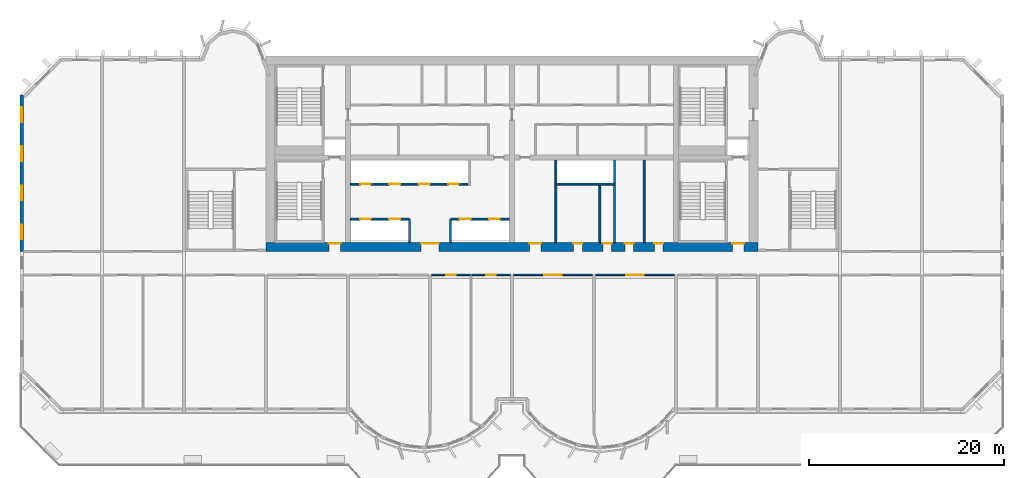
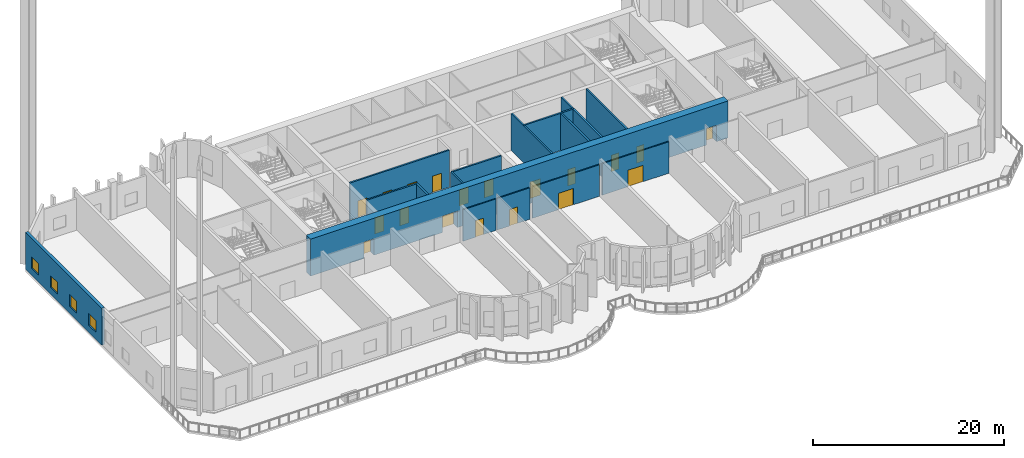
# One storey, part 4 of 13: 20 doors, 16 walls, 4 windows, 24 openings.
"""IFC4 building model written with IfcOpenShell, lengths in metres."""

from ifc_helpers import new_model, si_unit, direction, frame, frame_2d, origin, place, context, subcontext, project, spatial, rectangle, extrude, source, transform, mapped, material, layer, layer_set, type_object, element, fill, save


model = new_model("IFC4")

# Units and contexts
model_context = context("Model", 3, precision=1e-05, world=origin(), true_north=direction((0.0, 1.0)))
body_context = subcontext(model_context, "Body", "Model", "MODEL_VIEW")
ifc_project = project(units=[si_unit("LENGTHUNIT", "METRE"), si_unit("AREAUNIT", "SQUARE_METRE"), si_unit("VOLUMEUNIT", "CUBIC_METRE"), si_unit("PLANEANGLEUNIT", "RADIAN"), si_unit("MASSUNIT", "GRAM", prefix="KILO")], contexts=[model_context])

# Site, building, storey
site_placement = place(None, origin())
site = spatial("IfcSite", under=ifc_project, at=site_placement, CompositionType="ELEMENT")
building_placement = place(site_placement, origin())
building = spatial("IfcBuilding", under=site, at=building_placement, Name="Vanashikhar Sky Hotel", CompositionType="ELEMENT")
storey_placement = place(building_placement, frame((0.0, 0.0, 86.39990234375)))
storey = spatial("IfcBuildingStorey", under=building, at=storey_placement, Name="L20", CompositionType="ELEMENT", Elevation=86.39990234375)

# Wall, openings, doors
ifc_material_1 = material(Name="Concrete M70", Category="concrete")
ifc_layer_1 = layer(ifc_material_1, 0.89990234375)
ifc_layer_set_1 = layer_set([ifc_layer_1], Name="RC core shell wall 900 Concrete M70")
wall_type_1 = type_object("IfcWallType", Name="RC core shell wall 900 Concrete M70", PredefinedType="SHEAR", material=ifc_layer_set_1)
shared_shape_1 = source(origin(), body_context, "Body", "SweptSolid", [
    extrude(rectangle(XDim=50.400146484375, YDim=0.89990234375, at=frame_2d((25.2001953125, 0.0))), origin(), (0.0, 0.0, 1.0), 4.72021484375),
])
wall_1_placement = place(storey_placement, frame((25.199951171875, 22.449951171875, 0.0), z_axis=(0.0, 0.0, 1.0), x_axis=(1.0, 0.0, 0.0)))
wall_1 = element("IfcWall", 1, at=wall_1_placement, inside=storey, type_object=wall_type_1, Name="KW-L20-KS", PredefinedType="SHEAR", context=body_context, shape_type="MappedRepresentation", body=[
    mapped(shared_shape_1, transform((0.0, 0.0, 0.0), scale=1.0)),
])
shared_shape_2 = source(origin(), body_context, "Body", "SweptSolid", [
    extrude(rectangle(XDim=1.800048828125, YDim=2.10009765625, at=frame_2d((0.89990234375, 1.050048828125))), frame((0.0, 0.4599609375, 0.0), z_axis=(0.0, -1.0, 0.0), x_axis=(1.0, 0.0, 0.0)), (0.0, 0.0, 1.0), 0.919921875),
])
opening_1_placement = place(wall_1_placement, frame((15.89990234375, 0.0, 0.0)))
opening_1 = element("IfcOpeningElement", 2, at=opening_1_placement, cuts=wall_1, Name="Opening DC-3-A", PredefinedType="OPENING", context=body_context, shape_type="MappedRepresentation", body=[
    mapped(shared_shape_2, transform((0.0, 0.0, 0.0), scale=1.0)),
])
shared_shape_3 = source(origin(), body_context, "Body", "SweptSolid", [
    extrude(rectangle(XDim=1.199951171875, YDim=2.10009765625, at=frame_2d((0.60009765625, 1.050048828125))), frame((0.0, 0.4599609375, 0.0), z_axis=(0.0, -1.0, 0.0), x_axis=(1.0, 0.0, 0.0)), (0.0, 0.0, 1.0), 0.919921875),
])
opening_2_placement = place(wall_1_placement, frame((26.97509765625, 0.0, 0.0)))
opening_2 = element("IfcOpeningElement", 3, at=opening_2_placement, cuts=wall_1, Name="Opening DC-4-B", PredefinedType="OPENING", context=body_context, shape_type="MappedRepresentation", body=[
    mapped(shared_shape_3, transform((0.0, 0.0, 0.0), scale=1.0)),
])
shared_shape_4 = source(origin(), body_context, "Body", "SweptSolid", [
    extrude(rectangle(XDim=0.89990234375, YDim=2.10009765625, at=frame_2d((0.449951171875, 1.050048828125))), frame((0.0, 0.4599609375, 0.0), z_axis=(0.0, -1.0, 0.0), x_axis=(1.0, 0.0, 0.0)), (0.0, 0.0, 1.0), 0.919921875),
])
opening_3_placement = place(wall_1_placement, frame((34.5, 0.0, 0.0)))
opening_3 = element("IfcOpeningElement", 4, at=opening_3_placement, cuts=wall_1, Name="Opening DC-4-A", PredefinedType="OPENING", context=body_context, shape_type="MappedRepresentation", body=[
    mapped(shared_shape_4, transform((0.0, 0.0, 0.0), scale=1.0)),
])
opening_4_placement = place(wall_1_placement, frame((31.5, 0.0, 0.0)))
opening_4 = element("IfcOpeningElement", 5, at=opening_4_placement, cuts=wall_1, Name="Opening DC-4-A", PredefinedType="OPENING", context=body_context, shape_type="MappedRepresentation", body=[
    mapped(shared_shape_4, transform((0.0, 0.0, 0.0), scale=1.0)),
])
opening_5_placement = place(wall_1_placement, frame((39.7880859375, 0.0, 0.0)))
opening_5 = element("IfcOpeningElement", 6, at=opening_5_placement, cuts=wall_1, Name="Opening DC-4-A", PredefinedType="OPENING", context=body_context, shape_type="MappedRepresentation", body=[
    mapped(shared_shape_4, transform((0.0, 0.0, 0.0), scale=1.0)),
])
opening_6_placement = place(wall_1_placement, frame((36.761962890625, 0.0, 0.0)))
opening_6 = element("IfcOpeningElement", 7, at=opening_6_placement, cuts=wall_1, Name="Opening DC-4-A", PredefinedType="OPENING", context=body_context, shape_type="MappedRepresentation", body=[
    mapped(shared_shape_4, transform((0.0, 0.0, 0.0), scale=1.0)),
])
opening_7_placement = place(wall_1_placement, frame((6.449951171875, 0.0, 0.0)))
opening_7 = element("IfcOpeningElement", 8, at=opening_7_placement, cuts=wall_1, Name="Opening DC-2", PredefinedType="OPENING", context=body_context, shape_type="MappedRepresentation", body=[
    mapped(shared_shape_3, transform((0.0, 0.0, 0.0), scale=1.0)),
])
opening_8_placement = place(wall_1_placement, frame((47.77490234375, 0.0, 0.0)))
opening_8 = element("IfcOpeningElement", 9, at=opening_8_placement, cuts=wall_1, Name="Opening DC-2", PredefinedType="OPENING", context=body_context, shape_type="MappedRepresentation", body=[
    mapped(shared_shape_3, transform((0.0, 0.0, 0.0), scale=1.0)),
])
ifc_material_2 = material(Name="Glass", Category="glass")
door_type_1 = type_object("IfcDoorType", Name="Lift lobby entrance door 1800 FD30S", OperationType="NOTDEFINED", PredefinedType="DOOR", material=ifc_material_2)
shared_shape_5 = source(origin(), body_context, "Body", "SweptSolid", [
    extrude(rectangle(XDim=1.800048828125, YDim=2.10009765625, at=frame_2d((0.89990234375, 1.050048828125))), frame((0.0, 0.375, 0.0), z_axis=(0.0, -1.0, 0.0), x_axis=(1.0, 0.0, 0.0)), (0.0, 0.0, 1.0), 0.050048828125),
])
door_1_placement = place(opening_1_placement, origin())
door_1 = element("IfcDoor", 10, at=door_1_placement, inside=storey, type_object=door_type_1, Name="Lift lobby entrance door 1800 FD30S", OperationType="DOUBLE_DOOR_SINGLE_SWING", OverallHeight=2.10009765625, OverallWidth=1.800048828125, PredefinedType="DOOR", context=body_context, shape_type="MappedRepresentation", body=[
    mapped(shared_shape_5, transform((0.0, 0.0, 0.0), scale=1.0)),
])
fill(opening_1, door_1)
ifc_material_3 = material(Name="Steel", Category="steel")
door_type_2 = type_object("IfcDoorType", Name="Service door 1200 FD60", OperationType="NOTDEFINED", PredefinedType="DOOR", material=ifc_material_3)
shared_shape_6 = source(origin(), body_context, "Body", "SweptSolid", [
    extrude(rectangle(XDim=1.199951171875, YDim=2.10009765625, at=frame_2d((0.60009765625, 1.050048828125))), frame((0.0, 0.375, 0.0), z_axis=(0.0, -1.0, 0.0), x_axis=(1.0, 0.0, 0.0)), (0.0, 0.0, 1.0), 0.050048828125),
])
door_2_placement = place(opening_2_placement, origin())
door_2 = element("IfcDoor", 11, at=door_2_placement, inside=storey, type_object=door_type_2, Name="Service door 1200 FD60", OperationType="SINGLE_SWING_LEFT", OverallHeight=2.10009765625, OverallWidth=1.199951171875, PredefinedType="DOOR", context=body_context, shape_type="MappedRepresentation", body=[
    mapped(shared_shape_6, transform((0.0, 0.0, 0.0), scale=1.0)),
])
fill(opening_2, door_2)
door_type_3 = type_object("IfcDoorType", Name="Firefighting lobby door 1200 FD120", OperationType="NOTDEFINED", PredefinedType="DOOR", material=ifc_material_3)
door_3_placement = place(opening_7_placement, origin())
door_3 = element("IfcDoor", 12, at=door_3_placement, inside=storey, type_object=door_type_3, Name="Firefighting lobby door 1200 FD120", OperationType="SINGLE_SWING_LEFT", OverallHeight=2.10009765625, OverallWidth=1.199951171875, PredefinedType="DOOR", context=body_context, shape_type="MappedRepresentation", body=[
    mapped(shared_shape_6, transform((0.0, 0.0, 0.0), scale=1.0)),
])
fill(opening_7, door_3)
door_4_placement = place(opening_8_placement, origin())
door_4 = element("IfcDoor", 13, at=door_4_placement, inside=storey, type_object=door_type_3, Name="Firefighting lobby door 1200 FD120", OperationType="SINGLE_SWING_LEFT", OverallHeight=2.10009765625, OverallWidth=1.199951171875, PredefinedType="DOOR", context=body_context, shape_type="MappedRepresentation", body=[
    mapped(shared_shape_6, transform((0.0, 0.0, 0.0), scale=1.0)),
])
fill(opening_8, door_4)
door_type_4 = type_object("IfcDoorType", Name="Service door 900 FD60", OperationType="NOTDEFINED", PredefinedType="DOOR", material=ifc_material_3)
shared_shape_7 = source(origin(), body_context, "Body", "SweptSolid", [
    extrude(rectangle(XDim=0.89990234375, YDim=2.10009765625, at=frame_2d((0.449951171875, 1.050048828125))), frame((0.0, 0.375, 0.0), z_axis=(0.0, -1.0, 0.0), x_axis=(1.0, 0.0, 0.0)), (0.0, 0.0, 1.0), 0.050048828125),
])
door_5_placement = place(opening_3_placement, origin())
door_5 = element("IfcDoor", 14, at=door_5_placement, inside=storey, type_object=door_type_4, Name="Service door 900 FD60", OperationType="SINGLE_SWING_LEFT", OverallHeight=2.10009765625, OverallWidth=0.89990234375, PredefinedType="DOOR", context=body_context, shape_type="MappedRepresentation", body=[
    mapped(shared_shape_7, transform((0.0, 0.0, 0.0), scale=1.0)),
])
fill(opening_3, door_5)
door_6_placement = place(opening_4_placement, origin())
door_6 = element("IfcDoor", 15, at=door_6_placement, inside=storey, type_object=door_type_4, Name="Service door 900 FD60", OperationType="SINGLE_SWING_RIGHT", OverallHeight=2.10009765625, OverallWidth=0.89990234375, PredefinedType="DOOR", context=body_context, shape_type="MappedRepresentation", body=[
    mapped(shared_shape_7, transform((0.0, 0.0, 0.0), scale=1.0)),
])
fill(opening_4, door_6)
door_7_placement = place(opening_5_placement, origin())
door_7 = element("IfcDoor", 16, at=door_7_placement, inside=storey, type_object=door_type_4, Name="Service door 900 FD60", OperationType="SINGLE_SWING_LEFT", OverallHeight=2.10009765625, OverallWidth=0.89990234375, PredefinedType="DOOR", context=body_context, shape_type="MappedRepresentation", body=[
    mapped(shared_shape_7, transform((0.0, 0.0, 0.0), scale=1.0)),
])
fill(opening_5, door_7)
door_8_placement = place(opening_6_placement, origin())
door_8 = element("IfcDoor", 17, at=door_8_placement, inside=storey, type_object=door_type_4, Name="Service door 900 FD60", OperationType="SINGLE_SWING_RIGHT", OverallHeight=2.10009765625, OverallWidth=0.89990234375, PredefinedType="DOOR", context=body_context, shape_type="MappedRepresentation", body=[
    mapped(shared_shape_7, transform((0.0, 0.0, 0.0), scale=1.0)),
])
fill(opening_6, door_8)

# Wall, openings, windows
ifc_layer_2 = layer(ifc_material_1, 0.35009765625)
ifc_layer_set_2 = layer_set([ifc_layer_2], Name="RC shear wall 350 Concrete M70")
wall_type_2 = type_object("IfcWallType", Name="RC shear wall 350 Concrete M70", PredefinedType="SHEAR", material=ifc_layer_set_2)
shared_shape_8 = source(origin(), body_context, "Body", "SweptSolid", [
    extrude(rectangle(XDim=16.0, YDim=0.35009765625, at=frame_2d((8.0, 0.0))), origin(), (0.0, 0.0, 1.0), 4.72021484375),
])
wall_2_placement = place(storey_placement, frame((0.175048828125, 22.0, 0.0), z_axis=(0.0, 0.0, 1.0), x_axis=(0.0, 1.0, 0.0)))
wall_2 = element("IfcWall", 18, at=wall_2_placement, inside=storey, type_object=wall_type_2, Name="CW-L20-XW01-2", PredefinedType="SHEAR", context=body_context, shape_type="MappedRepresentation", body=[
    mapped(shared_shape_8, transform((0.0, 0.0, 0.0), scale=1.0)),
])
shared_shape_9 = source(origin(), body_context, "Body", "SweptSolid", [
    extrude(rectangle(XDim=1.5, YDim=1.5, at=frame_2d((0.75, 0.75))), frame((0.0, 0.18505859375, 0.0), z_axis=(0.0, -1.0, 0.0), x_axis=(1.0, 0.0, 0.0)), (0.0, 0.0, 1.0), 0.3701171875),
])
opening_9_placement = place(wall_2_placement, frame((1.25, 0.0, 0.89990234375)))
opening_9 = element("IfcOpeningElement", 19, at=opening_9_placement, cuts=wall_2, Name="Opening WN-1", PredefinedType="OPENING", context=body_context, shape_type="MappedRepresentation", body=[
    mapped(shared_shape_9, transform((0.0, 0.0, 0.0), scale=1.0)),
])
opening_10_placement = place(wall_2_placement, frame((5.25, 0.0, 0.89990234375)))
opening_10 = element("IfcOpeningElement", 20, at=opening_10_placement, cuts=wall_2, Name="Opening WN-1", PredefinedType="OPENING", context=body_context, shape_type="MappedRepresentation", body=[
    mapped(shared_shape_9, transform((0.0, 0.0, 0.0), scale=1.0)),
])
opening_11_placement = place(wall_2_placement, frame((9.25, 0.0, 0.89990234375)))
opening_11 = element("IfcOpeningElement", 21, at=opening_11_placement, cuts=wall_2, Name="Opening WN-1", PredefinedType="OPENING", context=body_context, shape_type="MappedRepresentation", body=[
    mapped(shared_shape_9, transform((0.0, 0.0, 0.0), scale=1.0)),
])
opening_12_placement = place(wall_2_placement, frame((13.25, 0.0, 0.89990234375)))
opening_12 = element("IfcOpeningElement", 22, at=opening_12_placement, cuts=wall_2, Name="Opening WN-1", PredefinedType="OPENING", context=body_context, shape_type="MappedRepresentation", body=[
    mapped(shared_shape_9, transform((0.0, 0.0, 0.0), scale=1.0)),
])
window_type = type_object("IfcWindowType", Name="Window 1500 x 1500", PartitioningType="SINGLE_PANEL", PredefinedType="WINDOW", material=ifc_material_2)
shared_shape_10 = source(origin(), body_context, "Body", "SweptSolid", [
    extrude(rectangle(XDim=1.5, YDim=1.5, at=frame_2d((0.75, 0.75))), frame((0.0, 0.030029296875, 0.0), z_axis=(0.0, -1.0, 0.0), x_axis=(1.0, 0.0, 0.0)), (0.0, 0.0, 1.0), 0.06005859375),
])
window_1_placement = place(opening_9_placement, origin())
window_1 = element("IfcWindow", 23, at=window_1_placement, inside=storey, type_object=window_type, Name="Window WN-1", OverallHeight=1.5, OverallWidth=1.5, PartitioningType="SINGLE_PANEL", PredefinedType="WINDOW", context=body_context, shape_type="MappedRepresentation", body=[
    mapped(shared_shape_10, transform((0.0, 0.0, 0.0), scale=1.0)),
])
fill(opening_9, window_1)
window_2_placement = place(opening_10_placement, origin())
window_2 = element("IfcWindow", 24, at=window_2_placement, inside=storey, type_object=window_type, Name="Window WN-1", OverallHeight=1.5, OverallWidth=1.5, PartitioningType="SINGLE_PANEL", PredefinedType="WINDOW", context=body_context, shape_type="MappedRepresentation", body=[
    mapped(shared_shape_10, transform((0.0, 0.0, 0.0), scale=1.0)),
])
fill(opening_10, window_2)
window_3_placement = place(opening_11_placement, origin())
window_3 = element("IfcWindow", 25, at=window_3_placement, inside=storey, type_object=window_type, Name="Window WN-1", OverallHeight=1.5, OverallWidth=1.5, PartitioningType="SINGLE_PANEL", PredefinedType="WINDOW", context=body_context, shape_type="MappedRepresentation", body=[
    mapped(shared_shape_10, transform((0.0, 0.0, 0.0), scale=1.0)),
])
fill(opening_11, window_3)
window_4_placement = place(opening_12_placement, origin())
window_4 = element("IfcWindow", 26, at=window_4_placement, inside=storey, type_object=window_type, Name="Window WN-1", OverallHeight=1.5, OverallWidth=1.5, PartitioningType="SINGLE_PANEL", PredefinedType="WINDOW", context=body_context, shape_type="MappedRepresentation", body=[
    mapped(shared_shape_10, transform((0.0, 0.0, 0.0), scale=1.0)),
])
fill(opening_12, window_4)

# Wall, openings, doors
ifc_material_4 = material(Name="Concrete M40", Category="concrete")
ifc_layer_3 = layer(ifc_material_4, 0.199951171875)
ifc_layer_set_3 = layer_set([ifc_layer_3], Name="Shaft wall 200")
wall_type_3 = type_object("IfcWallType", Name="Shaft wall 200", PredefinedType="SOLIDWALL", material=ifc_layer_set_3)
shared_shape_11 = source(origin(), body_context, "Body", "SweptSolid", [
    extrude(rectangle(XDim=6.0498046875, YDim=0.199951171875, at=frame_2d((3.02490234375, 0.0))), origin(), (0.0, 0.0, 1.0), 4.72021484375),
])
wall_3_placement = place(storey_placement, frame((33.85009765625, 25.300048828125, 0.0), z_axis=(0.0, 0.0, 1.0), x_axis=(1.0, 0.0, 0.0)))
wall_3 = element("IfcWall", 27, at=wall_3_placement, inside=storey, type_object=wall_type_3, Name="Shaft wall 200", PredefinedType="SOLIDWALL", context=body_context, shape_type="MappedRepresentation", body=[
    mapped(shared_shape_11, transform((0.0, 0.0, 0.0), scale=1.0)),
])
shared_shape_12 = source(origin(), body_context, "Body", "SweptSolid", [
    extrude(rectangle(XDim=1.10009765625, YDim=2.10009765625, at=frame_2d((0.550048828125, 1.050048828125))), frame((0.0, 0.10986328125, 0.0), z_axis=(0.0, -1.0, 0.0), x_axis=(1.0, 0.0, 0.0)), (0.0, 0.0, 1.0), 0.219970703125),
])
opening_13_placement = place(wall_3_placement, frame((1.0, 0.0, 0.0)))
opening_13 = element("IfcOpeningElement", 28, at=opening_13_placement, cuts=wall_3, Name="Opening LD", PredefinedType="OPENING", context=body_context, shape_type="MappedRepresentation", body=[
    mapped(shared_shape_12, transform((0.0, 0.0, 0.0), scale=1.0)),
])
opening_14_placement = place(wall_3_placement, frame((4.0, 0.0, 0.0)))
opening_14 = element("IfcOpeningElement", 29, at=opening_14_placement, cuts=wall_3, Name="Opening LD", PredefinedType="OPENING", context=body_context, shape_type="MappedRepresentation", body=[
    mapped(shared_shape_12, transform((0.0, 0.0, 0.0), scale=1.0)),
])
ifc_material_5 = material(Name="Stainless steel", Category="steel")
door_type_5 = type_object("IfcDoorType", Name="Lift landing door 1100", OperationType="NOTDEFINED", PredefinedType="DOOR", material=ifc_material_5)
shared_shape_13 = source(origin(), body_context, "Body", "SweptSolid", [
    extrude(rectangle(XDim=1.10009765625, YDim=2.10009765625, at=frame_2d((0.550048828125, 1.050048828125))), frame((0.0, 0.02490234375, 0.0), z_axis=(0.0, -1.0, 0.0), x_axis=(1.0, 0.0, 0.0)), (0.0, 0.0, 1.0), 0.050048828125),
])
door_9_placement = place(opening_13_placement, origin())
door_9 = element("IfcDoor", 30, at=door_9_placement, inside=storey, type_object=door_type_5, Name="Lift landing door 1100", OperationType="SLIDING_TO_LEFT", OverallHeight=2.10009765625, OverallWidth=1.10009765625, PredefinedType="DOOR", context=body_context, shape_type="MappedRepresentation", body=[
    mapped(shared_shape_13, transform((0.0, 0.0, 0.0), scale=1.0)),
])
fill(opening_13, door_9)
door_10_placement = place(opening_14_placement, origin())
door_10 = element("IfcDoor", 31, at=door_10_placement, inside=storey, type_object=door_type_5, Name="Lift landing door 1100", OperationType="SLIDING_TO_RIGHT", OverallHeight=2.10009765625, OverallWidth=1.10009765625, PredefinedType="DOOR", context=body_context, shape_type="MappedRepresentation", body=[
    mapped(shared_shape_13, transform((0.0, 0.0, 0.0), scale=1.0)),
])
fill(opening_14, door_10)

shared_shape_14 = source(origin(), body_context, "Body", "SweptSolid", [
    extrude(rectangle(XDim=6.0, YDim=0.199951171875, at=frame_2d((3.0, 0.0))), origin(), (0.0, 0.0, 1.0), 4.72021484375),
])
wall_4_placement = place(storey_placement, frame((44.10009765625, 25.300048828125, 0.0), z_axis=(0.0, 0.0, 1.0), x_axis=(1.0, 0.0, 0.0)))
wall_4 = element("IfcWall", 32, at=wall_4_placement, inside=storey, type_object=wall_type_3, Name="Shaft wall 200", PredefinedType="SOLIDWALL", context=body_context, shape_type="MappedRepresentation", body=[
    mapped(shared_shape_14, transform((0.0, 0.0, 0.0), scale=1.0)),
])
opening_15_placement = place(wall_4_placement, frame((0.949951171875, 0.0, 0.0)))
opening_15 = element("IfcOpeningElement", 33, at=opening_15_placement, cuts=wall_4, Name="Opening LD", PredefinedType="OPENING", context=body_context, shape_type="MappedRepresentation", body=[
    mapped(shared_shape_12, transform((0.0, 0.0, 0.0), scale=1.0)),
])
opening_16_placement = place(wall_4_placement, frame((3.949951171875, 0.0, 0.0)))
opening_16 = element("IfcOpeningElement", 34, at=opening_16_placement, cuts=wall_4, Name="Opening LD", PredefinedType="OPENING", context=body_context, shape_type="MappedRepresentation", body=[
    mapped(shared_shape_12, transform((0.0, 0.0, 0.0), scale=1.0)),
])
door_11_placement = place(opening_15_placement, origin())
door_11 = element("IfcDoor", 35, at=door_11_placement, inside=storey, type_object=door_type_5, Name="Lift landing door 1100", OperationType="SLIDING_TO_LEFT", OverallHeight=2.10009765625, OverallWidth=1.10009765625, PredefinedType="DOOR", context=body_context, shape_type="MappedRepresentation", body=[
    mapped(shared_shape_13, transform((0.0, 0.0, 0.0), scale=1.0)),
])
fill(opening_15, door_11)
door_12_placement = place(opening_16_placement, origin())
door_12 = element("IfcDoor", 36, at=door_12_placement, inside=storey, type_object=door_type_5, Name="Lift landing door 1100", OperationType="SLIDING_TO_RIGHT", OverallHeight=2.10009765625, OverallWidth=1.10009765625, PredefinedType="DOOR", context=body_context, shape_type="MappedRepresentation", body=[
    mapped(shared_shape_13, transform((0.0, 0.0, 0.0), scale=1.0)),
])
fill(opening_16, door_12)

# Walls
wall_5_placement = place(storey_placement, frame((60.89990234375, 28.89990234375, 0.0), z_axis=(0.0, 0.0, 1.0), x_axis=(-1.0, 0.0, 0.0)))
element("IfcWall", 37, at=wall_5_placement, inside=storey, type_object=wall_type_3, Name="Shaft wall 200", PredefinedType="SOLIDWALL", context=body_context, shape_type="MappedRepresentation", body=[
    mapped(shared_shape_14, transform((0.0, 0.0, 0.0), scale=1.0)),
])
ifc_material_6 = material(Name="Gypsum board partition")
ifc_layer_4 = layer(ifc_material_6, 0.14990234375)
ifc_layer_set_4 = layer_set([ifc_layer_4], Name="Service partition 150")
wall_type_4 = type_object("IfcWallType", Name="Service partition 150", PredefinedType="PARTITIONING", material=ifc_layer_set_4)
wall_6_placement = place(storey_placement, frame((59.39990234375, 22.89990234375, 0.0), z_axis=(0.0, 0.0, 1.0), x_axis=(0.0, 1.0, 0.0)))
element("IfcWall", 38, at=wall_6_placement, inside=storey, type_object=wall_type_4, Name="Service partition 150", PredefinedType="PARTITIONING", context=body_context, shape_type="MappedRepresentation", body=[
    mapped(shared_shape_14, transform((0.0, 0.0, 0.0), scale=1.0)),
])

# Wall, openings, doors
shared_shape_15 = source(origin(), body_context, "Body", "SweptSolid", [
    extrude(rectangle(XDim=12.0498046875, YDim=0.199951171875, at=frame_2d((6.02490234375, 0.0))), origin(), (0.0, 0.0, 1.0), 4.72021484375),
])
wall_7_placement = place(storey_placement, frame((33.85009765625, 28.89990234375, 0.0), z_axis=(0.0, 0.0, 1.0), x_axis=(1.0, 0.0, 0.0)))
wall_7 = element("IfcWall", 39, at=wall_7_placement, inside=storey, type_object=wall_type_3, Name="Shaft wall 200", PredefinedType="SOLIDWALL", context=body_context, shape_type="MappedRepresentation", body=[
    mapped(shared_shape_15, transform((0.0, 0.0, 0.0), scale=1.0)),
])
opening_17_placement = place(wall_7_placement, frame((1.0, 0.0, 0.0)))
opening_17 = element("IfcOpeningElement", 40, at=opening_17_placement, cuts=wall_7, Name="Opening LD", PredefinedType="OPENING", context=body_context, shape_type="MappedRepresentation", body=[
    mapped(shared_shape_12, transform((0.0, 0.0, 0.0), scale=1.0)),
])
opening_18_placement = place(wall_7_placement, frame((4.0, 0.0, 0.0)))
opening_18 = element("IfcOpeningElement", 41, at=opening_18_placement, cuts=wall_7, Name="Opening LD", PredefinedType="OPENING", context=body_context, shape_type="MappedRepresentation", body=[
    mapped(shared_shape_12, transform((0.0, 0.0, 0.0), scale=1.0)),
])
opening_19_placement = place(wall_7_placement, frame((7.0, 0.0, 0.0)))
opening_19 = element("IfcOpeningElement", 42, at=opening_19_placement, cuts=wall_7, Name="Opening LD", PredefinedType="OPENING", context=body_context, shape_type="MappedRepresentation", body=[
    mapped(shared_shape_12, transform((0.0, 0.0, 0.0), scale=1.0)),
])
opening_20_placement = place(wall_7_placement, frame((10.0, 0.0, 0.0)))
opening_20 = element("IfcOpeningElement", 43, at=opening_20_placement, cuts=wall_7, Name="Opening LD", PredefinedType="OPENING", context=body_context, shape_type="MappedRepresentation", body=[
    mapped(shared_shape_12, transform((0.0, 0.0, 0.0), scale=1.0)),
])
door_13_placement = place(opening_17_placement, origin())
door_13 = element("IfcDoor", 44, at=door_13_placement, inside=storey, type_object=door_type_5, Name="Lift landing door 1100", OperationType="SLIDING_TO_LEFT", OverallHeight=2.10009765625, OverallWidth=1.10009765625, PredefinedType="DOOR", context=body_context, shape_type="MappedRepresentation", body=[
    mapped(shared_shape_13, transform((0.0, 0.0, 0.0), scale=1.0)),
])
fill(opening_17, door_13)
door_14_placement = place(opening_18_placement, origin())
door_14 = element("IfcDoor", 45, at=door_14_placement, inside=storey, type_object=door_type_5, Name="Lift landing door 1100", OperationType="SLIDING_TO_RIGHT", OverallHeight=2.10009765625, OverallWidth=1.10009765625, PredefinedType="DOOR", context=body_context, shape_type="MappedRepresentation", body=[
    mapped(shared_shape_13, transform((0.0, 0.0, 0.0), scale=1.0)),
])
fill(opening_18, door_14)
door_15_placement = place(opening_19_placement, origin())
door_15 = element("IfcDoor", 46, at=door_15_placement, inside=storey, type_object=door_type_5, Name="Lift landing door 1100", OperationType="SLIDING_TO_LEFT", OverallHeight=2.10009765625, OverallWidth=1.10009765625, PredefinedType="DOOR", context=body_context, shape_type="MappedRepresentation", body=[
    mapped(shared_shape_13, transform((0.0, 0.0, 0.0), scale=1.0)),
])
fill(opening_19, door_15)
door_16_placement = place(opening_20_placement, origin())
door_16 = element("IfcDoor", 47, at=door_16_placement, inside=storey, type_object=door_type_5, Name="Lift landing door 1100", OperationType="SLIDING_TO_RIGHT", OverallHeight=2.10009765625, OverallWidth=1.10009765625, PredefinedType="DOOR", context=body_context, shape_type="MappedRepresentation", body=[
    mapped(shared_shape_13, transform((0.0, 0.0, 0.0), scale=1.0)),
])
fill(opening_20, door_16)

# Walls
shared_shape_16 = source(origin(), body_context, "Body", "SweptSolid", [
    extrude(rectangle(XDim=2.400146484375, YDim=0.199951171875, at=frame_2d((1.2001953125, 0.0))), origin(), (0.0, 0.0, 1.0), 4.72021484375),
])
for number, where, z_axis, x_axis, name in (
    (48, (39.89990234375, 22.89990234375, 0.0), (0.0, 0.0, 1.0), (0.0, 1.0, 0.0), "Shaft wall 200"),
    (49, (44.10009765625, 22.89990234375, 0.0), (0.0, 0.0, 1.0), (0.0, 1.0, 0.0), "Shaft wall 200"),
):
    element("IfcWall", number, at=place(storey_placement, frame(where, z_axis=z_axis, x_axis=x_axis)), inside=storey, type_object=wall_type_3, Name=name, PredefinedType="SOLIDWALL", context=body_context, shape_type="MappedRepresentation", body=[
        mapped(shared_shape_16, transform((0.0, 0.0, 0.0), scale=1.0)),
    ])
shared_shape_17 = source(origin(), body_context, "Body", "SweptSolid", [
    extrude(rectangle(XDim=8.4501953125, YDim=0.199951171875, at=frame_2d((4.22509765625, 0.0))), origin(), (0.0, 0.0, 1.0), 4.72021484375),
])
for number, where, z_axis, x_axis, name in (
    (50, (54.89990234375, 22.89990234375, 0.0), (0.0, 0.0, 1.0), (0.0, 1.0, 0.0), "Service partition 150"),
    (51, (60.89990234375, 22.89990234375, 0.0), (0.0, 0.0, 1.0), (0.0, 1.0, 0.0), "Service partition 150"),
    (52, (63.925048828125, 22.89990234375, 0.0), (0.0, 0.0, 1.0), (0.0, 1.0, 0.0), "Service partition 150"),
):
    element("IfcWall", number, at=place(storey_placement, frame(where, z_axis=z_axis, x_axis=x_axis)), inside=storey, type_object=wall_type_4, Name=name, PredefinedType="PARTITIONING", context=body_context, shape_type="MappedRepresentation", body=[
        mapped(shared_shape_17, transform((0.0, 0.0, 0.0), scale=1.0)),
    ])

# Wall, opening, door
ifc_material_7 = material(Name="Gypsum plasterboard partition")
ifc_layer_5 = layer(ifc_material_7, 0.14990234375)
ifc_layer_set_5 = layer_set([ifc_layer_5], Name="Corridor and demising partition 150")
wall_type_5 = type_object("IfcWallType", Name="Corridor and demising partition 150", PredefinedType="PARTITIONING", material=ifc_layer_set_5)
shared_shape_18 = source(origin(), body_context, "Body", "SweptSolid", [
    extrude(rectangle(XDim=3.949951171875, YDim=0.14990234375, at=frame_2d((1.97509765625, 0.0))), origin(), (0.0, 0.0, 1.0), 4.02001953125),
])
wall_8_placement = place(storey_placement, frame((42.175048828125, 19.60009765625, 0.0), z_axis=(0.0, 0.0, 1.0), x_axis=(1.0, 0.0, 0.0)))
wall_8 = element("IfcWall", 53, at=wall_8_placement, inside=storey, type_object=wall_type_5, Name="W-L20-PW008", PredefinedType="PARTITIONING", context=body_context, shape_type="MappedRepresentation", body=[
    mapped(shared_shape_18, transform((0.0, 0.0, 0.0), scale=1.0)),
])
shared_shape_19 = source(origin(), body_context, "Body", "SweptSolid", [
    extrude(rectangle(XDim=1.0, YDim=2.10009765625, at=frame_2d((0.5, 1.050048828125))), frame((0.0, 0.0849609375, 0.0), z_axis=(0.0, -1.0, 0.0), x_axis=(1.0, 0.0, 0.0)), (0.0, 0.0, 1.0), 0.169921875),
])
opening_21_placement = place(wall_8_placement, frame((1.47509765625, 0.0, 0.0)))
opening_21 = element("IfcOpeningElement", 54, at=opening_21_placement, cuts=wall_8, Name="Opening D-01", PredefinedType="OPENING", context=body_context, shape_type="MappedRepresentation", body=[
    mapped(shared_shape_19, transform((0.0, 0.0, 0.0), scale=1.0)),
])
ifc_material_8 = material(Name="Timber fire door", Category="wood")
door_type_6 = type_object("IfcDoorType", Name="Guest entry door 1000 FD30S", OperationType="NOTDEFINED", PredefinedType="DOOR", material=ifc_material_8)
shared_shape_20 = source(origin(), body_context, "Body", "SweptSolid", [
    extrude(rectangle(XDim=1.0, YDim=2.10009765625, at=frame_2d((0.5, 1.050048828125))), frame((0.0, 0.02490234375, 0.0), z_axis=(0.0, -1.0, 0.0), x_axis=(1.0, 0.0, 0.0)), (0.0, 0.0, 1.0), 0.050048828125),
])
door_17_placement = place(opening_21_placement, origin())
door_17 = element("IfcDoor", 55, at=door_17_placement, inside=storey, type_object=door_type_6, Name="D-L20-007", OperationType="SINGLE_SWING_LEFT", OverallHeight=2.10009765625, OverallWidth=1.0, PredefinedType="DOOR", context=body_context, shape_type="MappedRepresentation", body=[
    mapped(shared_shape_20, transform((0.0, 0.0, 0.0), scale=1.0)),
])
fill(opening_21, door_17)

shared_shape_21 = source(origin(), body_context, "Body", "SweptSolid", [
    extrude(rectangle(XDim=8.0498046875, YDim=0.14990234375, at=frame_2d((4.02490234375, 0.0))), origin(), (0.0, 0.0, 1.0), 4.02001953125),
])
wall_9_placement = place(storey_placement, frame((58.97509765625, 19.60009765625, 0.0), z_axis=(0.0, 0.0, 1.0), x_axis=(1.0, 0.0, 0.0)))
wall_9 = element("IfcWall", 56, at=wall_9_placement, inside=storey, type_object=wall_type_5, Name="W-L20-PW012", PredefinedType="PARTITIONING", context=body_context, shape_type="MappedRepresentation", body=[
    mapped(shared_shape_21, transform((0.0, 0.0, 0.0), scale=1.0)),
])
shared_shape_22 = source(origin(), body_context, "Body", "SweptSolid", [
    extrude(rectangle(XDim=1.800048828125, YDim=2.10009765625, at=frame_2d((0.89990234375, 1.050048828125))), frame((0.0, 0.0849609375, 0.0), z_axis=(0.0, -1.0, 0.0), x_axis=(1.0, 0.0, 0.0)), (0.0, 0.0, 1.0), 0.169921875),
])
opening_22_placement = place(wall_9_placement, frame((3.125, 0.0, 0.0)))
opening_22 = element("IfcOpeningElement", 57, at=opening_22_placement, cuts=wall_9, Name="Opening D-03", PredefinedType="OPENING", context=body_context, shape_type="MappedRepresentation", body=[
    mapped(shared_shape_22, transform((0.0, 0.0, 0.0), scale=1.0)),
])
door_type_7 = type_object("IfcDoorType", Name="Double leaf door 1800 FD30S", OperationType="NOTDEFINED", PredefinedType="DOOR", material=ifc_material_8)
shared_shape_23 = source(origin(), body_context, "Body", "SweptSolid", [
    extrude(rectangle(XDim=1.800048828125, YDim=2.10009765625, at=frame_2d((0.89990234375, 1.050048828125))), frame((0.0, 0.02490234375, 0.0), z_axis=(0.0, -1.0, 0.0), x_axis=(1.0, 0.0, 0.0)), (0.0, 0.0, 1.0), 0.050048828125),
])
door_18_placement = place(opening_22_placement, origin())
door_18 = element("IfcDoor", 58, at=door_18_placement, inside=storey, type_object=door_type_7, Name="D-L20-010", OperationType="DOUBLE_DOOR_SINGLE_SWING", OverallHeight=2.10009765625, OverallWidth=1.800048828125, PredefinedType="DOOR", context=body_context, shape_type="MappedRepresentation", body=[
    mapped(shared_shape_23, transform((0.0, 0.0, 0.0), scale=1.0)),
])
fill(opening_22, door_18)

shared_shape_24 = source(origin(), body_context, "Body", "SweptSolid", [
    extrude(rectangle(XDim=8.050048828125, YDim=0.14990234375, at=frame_2d((4.02490234375, 0.0))), origin(), (0.0, 0.0, 1.0), 4.02001953125),
])
wall_10_placement = place(storey_placement, frame((50.574951171875, 19.60009765625, 0.0), z_axis=(0.0, 0.0, 1.0), x_axis=(1.0, 0.0, 0.0)))
wall_10 = element("IfcWall", 59, at=wall_10_placement, inside=storey, type_object=wall_type_5, Name="W-L20-PW011", PredefinedType="PARTITIONING", context=body_context, shape_type="MappedRepresentation", body=[
    mapped(shared_shape_24, transform((0.0, 0.0, 0.0), scale=1.0)),
])
opening_23_placement = place(wall_10_placement, frame((3.125, 0.0, 0.0)))
opening_23 = element("IfcOpeningElement", 60, at=opening_23_placement, cuts=wall_10, Name="Opening D-03", PredefinedType="OPENING", context=body_context, shape_type="MappedRepresentation", body=[
    mapped(shared_shape_22, transform((0.0, 0.0, 0.0), scale=1.0)),
])
door_19_placement = place(opening_23_placement, origin())
door_19 = element("IfcDoor", 61, at=door_19_placement, inside=storey, type_object=door_type_7, Name="D-L20-009", OperationType="DOUBLE_DOOR_SINGLE_SWING", OverallHeight=2.10009765625, OverallWidth=1.800048828125, PredefinedType="DOOR", context=body_context, shape_type="MappedRepresentation", body=[
    mapped(shared_shape_23, transform((0.0, 0.0, 0.0), scale=1.0)),
])
fill(opening_23, door_19)

shared_shape_25 = source(origin(), body_context, "Body", "SweptSolid", [
    extrude(rectangle(XDim=3.9501953125, YDim=0.14990234375, at=frame_2d((1.97509765625, 0.0))), origin(), (0.0, 0.0, 1.0), 4.02001953125),
])
wall_11_placement = place(storey_placement, frame((46.27490234375, 19.60009765625, 0.0), z_axis=(0.0, 0.0, 1.0), x_axis=(1.0, 0.0, 0.0)))
wall_11 = element("IfcWall", 62, at=wall_11_placement, inside=storey, type_object=wall_type_5, Name="W-L20-PW009", PredefinedType="PARTITIONING", context=body_context, shape_type="MappedRepresentation", body=[
    mapped(shared_shape_25, transform((0.0, 0.0, 0.0), scale=1.0)),
])
opening_24_placement = place(wall_11_placement, frame((1.47509765625, 0.0, 0.0)))
opening_24 = element("IfcOpeningElement", 63, at=opening_24_placement, cuts=wall_11, Name="Opening D-01", PredefinedType="OPENING", context=body_context, shape_type="MappedRepresentation", body=[
    mapped(shared_shape_19, transform((0.0, 0.0, 0.0), scale=1.0)),
])
door_20_placement = place(opening_24_placement, origin())
door_20 = element("IfcDoor", 64, at=door_20_placement, inside=storey, type_object=door_type_6, Name="D-L20-008", OperationType="SINGLE_SWING_RIGHT", OverallHeight=2.10009765625, OverallWidth=1.0, PredefinedType="DOOR", context=body_context, shape_type="MappedRepresentation", body=[
    mapped(shared_shape_20, transform((0.0, 0.0, 0.0), scale=1.0)),
])
fill(opening_24, door_20)

save(model, "model.ifc")
